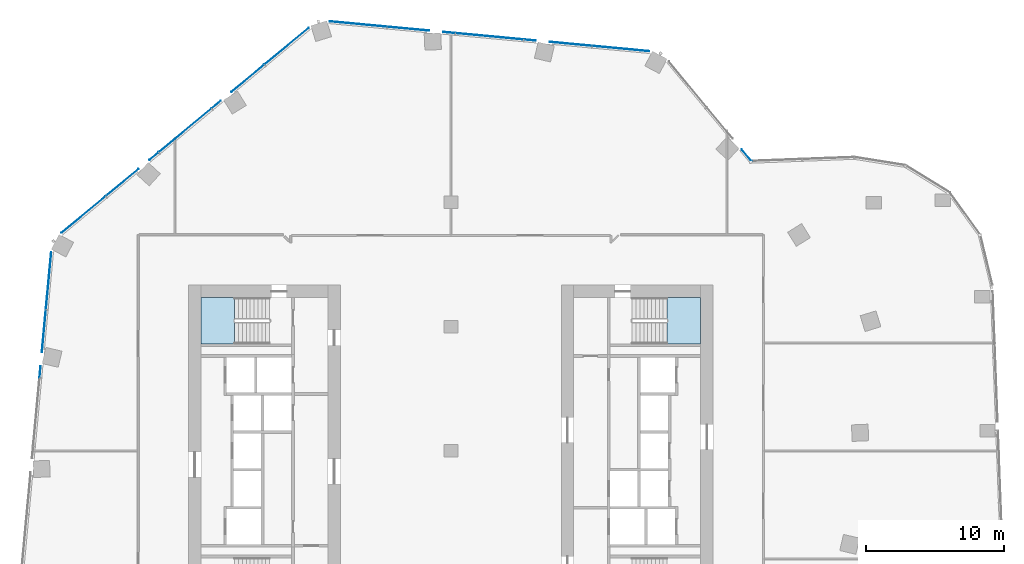
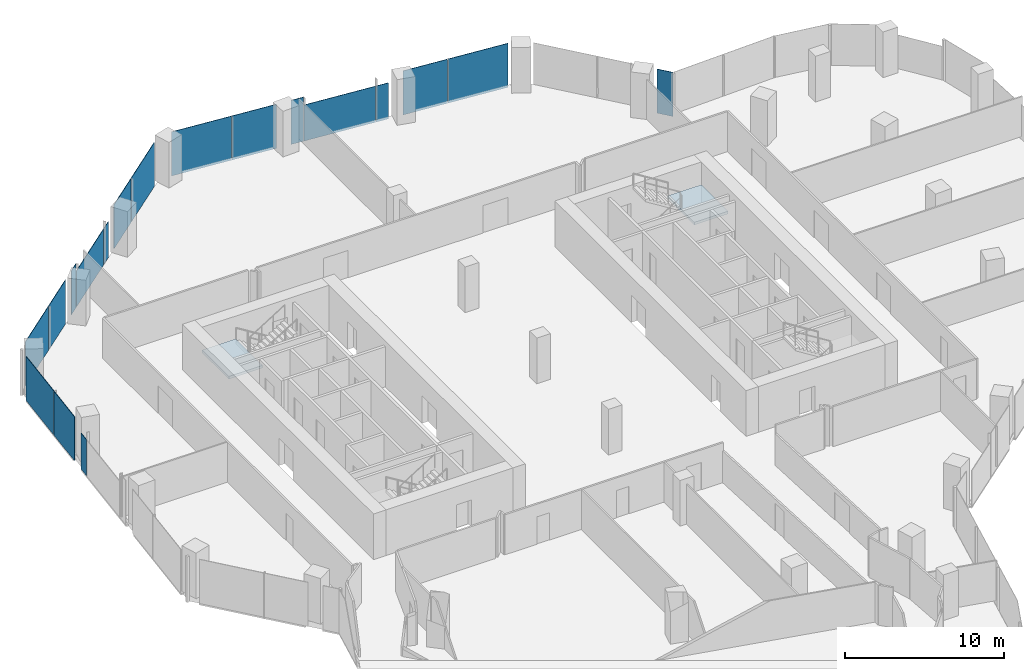
# One storey, part 16 of 23: 18 plates, 2 slabs, 6 elements without a shape of their own.
"""IFC4 building model written with IfcOpenShell, lengths in metres."""

from ifc_helpers import new_model, si_unit, direction, frame, origin, origin_2d, place, context, subcontext, project, spatial, polyline, rectangle, outline, extrude, material, layer, layer_set, type_object, element, aggregate, save


model = new_model("IFC4")

# Units and contexts
model_context = context("Model", 3, precision=1e-05, world=origin(), true_north=direction((0.0, 1.0)))
body_context = subcontext(model_context, "Body", "Model", "MODEL_VIEW")
ifc_project = project(units=[si_unit("LENGTHUNIT", "METRE"), si_unit("AREAUNIT", "SQUARE_METRE"), si_unit("VOLUMEUNIT", "CUBIC_METRE"), si_unit("PLANEANGLEUNIT", "RADIAN"), si_unit("MASSUNIT", "GRAM", prefix="KILO")], contexts=[model_context])

# Site, building, storey
site_placement = place(None, origin())
site = spatial("IfcSite", under=ifc_project, at=site_placement, CompositionType="ELEMENT")
building_placement = place(site_placement, origin())
building = spatial("IfcBuilding", under=site, at=building_placement, Name="Orlundy Tower", CompositionType="ELEMENT")
storey_placement = place(building_placement, frame((0.0, 0.0, 181.10009765625)))
storey = spatial("IfcBuildingStorey", under=building, at=storey_placement, Name="L47", CompositionType="ELEMENT", Elevation=181.10009765625)

# Curtain wall, plates
ifc_material_1 = material(Name="Aluminium bronze anodised", Category="aluminium")
curtain_wall_type = type_object("IfcCurtainWallType", Name="CW1 wall", PredefinedType="NOTDEFINED", material=ifc_material_1)
curtain_wall_1_placement = place(storey_placement, origin())
curtain_wall_1 = element("IfcCurtainWall", 1, at=curtain_wall_1_placement, inside=storey, type_object=curtain_wall_type, Name="CW1 run 02", PredefinedType="NOTDEFINED")
ifc_material_2 = material(Name="Tinted glass", Category="glass")
ifc_layer_1 = layer(ifc_material_2, 0.031982421875)
ifc_layer_set_1 = layer_set([ifc_layer_1], Name="CW1 glass panel 32")
plate_type = type_object("IfcPlateType", Name="CW1 glass panel 32", PredefinedType="CURTAIN_PANEL", material=ifc_layer_set_1)
plate_1_placement = place(storey_placement, frame((-29.7607421875, 5.724609375, -0.30029296875), z_axis=(0.0, 0.0, 1.0), x_axis=(0.092948066811, 0.995670958136, 0.0)))
plate_1 = element("IfcPlate", 2, at=plate_1_placement, type_object=plate_type, Name="CW1 panel", PredefinedType="CURTAIN_PANEL", context=body_context, shape_type="SweptSolid", body=[
    extrude(rectangle(XDim=0.846435546875, YDim=0.031982421875, at=origin_2d()), origin(), (0.0, 0.0, 1.0), 2.763916015625),
])
plate_2_placement = place(storey_placement, frame((-29.48486328125, 8.6796875, -0.300048828125), z_axis=(0.0, 0.0, 1.0), x_axis=(0.092948066811, 0.995670958136, 0.0)))
plate_2 = element("IfcPlate", 3, at=plate_2_placement, type_object=plate_type, Name="CW1 panel", PredefinedType="CURTAIN_PANEL", context=body_context, shape_type="SweptSolid", body=[
    extrude(rectangle(XDim=3.05859375, YDim=0.031982421875, at=origin_2d()), origin(), (0.0, 0.0, 1.0), 3.3798828125),
])
plate_3_placement = place(storey_placement, frame((-29.145263671875, 12.31689453125, -0.300048828125), z_axis=(0.0, 0.0, 1.0), x_axis=(0.092948066811, 0.995670958136, 0.0)))
plate_3 = element("IfcPlate", 4, at=plate_3_placement, type_object=plate_type, Name="CW1 panel", PredefinedType="CURTAIN_PANEL", context=body_context, shape_type="SweptSolid", body=[
    extrude(rectangle(XDim=4.147705078125, YDim=0.031982421875, at=origin_2d()), origin(), (0.0, 0.0, 1.0), 3.3798828125),
])
aggregate(curtain_wall_1, [plate_1, plate_2, plate_3])

curtain_wall_2_placement = place(storey_placement, origin())
curtain_wall_2 = element("IfcCurtainWall", 5, at=curtain_wall_2_placement, inside=storey, type_object=curtain_wall_type, Name="CW1 run 03", PredefinedType="NOTDEFINED")
plate_4_placement = place(storey_placement, frame((-26.609130859375, 17.120361328125, -0.300048828125), z_axis=(0.0, 0.0, 1.0), x_axis=(0.769772426769, 0.638318424445, 0.0)))
plate_4 = element("IfcPlate", 6, at=plate_4_placement, type_object=plate_type, Name="CW1 panel", PredefinedType="CURTAIN_PANEL", context=body_context, shape_type="SweptSolid", body=[
    extrude(rectangle(XDim=4.1474609375, YDim=0.031982421875, at=origin_2d()), origin(), (0.0, 0.0, 1.0), 3.3798828125),
])
plate_5_placement = place(storey_placement, frame((-23.797607421875, 19.45166015625, -0.300048828125), z_axis=(0.0, 0.0, 1.0), x_axis=(0.769772426769, 0.638318424445, 0.0)))
plate_5 = element("IfcPlate", 7, at=plate_5_placement, type_object=plate_type, Name="CW1 panel", PredefinedType="CURTAIN_PANEL", context=body_context, shape_type="SweptSolid", body=[
    extrude(rectangle(XDim=3.05712890625, YDim=0.031982421875, at=origin_2d()), origin(), (0.0, 0.0, 1.0), 3.3798828125),
])
plate_6_placement = place(storey_placement, frame((-21.512451171875, 21.3466796875, -0.300048828125), z_axis=(0.0, 0.0, 1.0), x_axis=(0.769772426769, 0.638318424445, 0.0)))
plate_6 = element("IfcPlate", 8, at=plate_6_placement, type_object=plate_type, Name="CW1 panel", PredefinedType="CURTAIN_PANEL", context=body_context, shape_type="SweptSolid", body=[
    extrude(rectangle(XDim=0.8466796875, YDim=0.031982421875, at=origin_2d()), origin(), (0.0, 0.0, 1.0), 3.3798828125),
])
plate_7_placement = place(storey_placement, frame((-19.254150390625, 23.21923828125, -0.30029296875), z_axis=(0.0, 0.0, 1.0), x_axis=(0.769772426769, 0.638318424445, 0.0)))
plate_7 = element("IfcPlate", 9, at=plate_7_placement, type_object=plate_type, Name="CW1 panel", PredefinedType="CURTAIN_PANEL", context=body_context, shape_type="SweptSolid", body=[
    extrude(rectangle(XDim=4.920654296875, YDim=0.031982421875, at=origin_2d()), origin(), (0.0, 0.0, 1.0), 2.763916015625),
])
plate_8_placement = place(storey_placement, frame((-16.99609375, 25.091796875, -0.30029296875), z_axis=(0.0, 0.0, 1.0), x_axis=(0.769772426769, 0.638318424445, 0.0)))
plate_8 = element("IfcPlate", 10, at=plate_8_placement, type_object=plate_type, Name="CW1 panel", PredefinedType="CURTAIN_PANEL", context=body_context, shape_type="SweptSolid", body=[
    extrude(rectangle(XDim=0.8466796875, YDim=0.031982421875, at=origin_2d()), origin(), (0.0, 0.0, 1.0), 2.763916015625),
])
plate_9_placement = place(storey_placement, frame((-14.71044921875, 26.987060546875, -0.300048828125), z_axis=(0.0, 0.0, 1.0), x_axis=(0.769772426769, 0.638318424445, 0.0)))
plate_9 = element("IfcPlate", 11, at=plate_9_placement, type_object=plate_type, Name="CW1 panel", PredefinedType="CURTAIN_PANEL", context=body_context, shape_type="SweptSolid", body=[
    extrude(rectangle(XDim=3.056640625, YDim=0.031982421875, at=origin_2d()), origin(), (0.0, 0.0, 1.0), 3.3798828125),
])
plate_10_placement = place(storey_placement, frame((-11.899169921875, 29.318359375, -0.300048828125), z_axis=(0.0, 0.0, 1.0), x_axis=(0.769772426769, 0.638318424445, 0.0)))
plate_10 = element("IfcPlate", 12, at=plate_10_placement, type_object=plate_type, Name="CW1 panel", PredefinedType="CURTAIN_PANEL", context=body_context, shape_type="SweptSolid", body=[
    extrude(rectangle(XDim=4.148193359375, YDim=0.031982421875, at=origin_2d()), origin(), (0.0, 0.0, 1.0), 3.3798828125),
])
aggregate(curtain_wall_2, [plate_4, plate_5, plate_6, plate_7, plate_8, plate_9, plate_10])

curtain_wall_3_placement = place(storey_placement, origin())
curtain_wall_3 = element("IfcCurtainWall", 13, at=curtain_wall_3_placement, inside=storey, type_object=curtain_wall_type, Name="CW1 run 04", PredefinedType="NOTDEFINED")
plate_11_placement = place(storey_placement, frame((-6.709228515625, 30.92138671875, -0.300048828125), z_axis=(0.0, 0.0, 1.0), x_axis=(0.995670958136, -0.092948066811, 0.0)))
plate_11 = element("IfcPlate", 14, at=plate_11_placement, type_object=plate_type, Name="CW1 panel", PredefinedType="CURTAIN_PANEL", context=body_context, shape_type="SweptSolid", body=[
    extrude(rectangle(XDim=4.14697265625, YDim=0.031982421875, at=origin_2d()), origin(), (0.0, 0.0, 1.0), 3.3798828125),
])
plate_12_placement = place(storey_placement, frame((-3.073974609375, 30.58203125, -0.300048828125), z_axis=(0.0, 0.0, 1.0), x_axis=(0.995670958136, -0.092948066811, 0.0)))
plate_12 = element("IfcPlate", 15, at=plate_12_placement, type_object=plate_type, Name="CW1 panel", PredefinedType="CURTAIN_PANEL", context=body_context, shape_type="SweptSolid", body=[
    extrude(rectangle(XDim=3.05517578125, YDim=0.031982421875, at=origin_2d()), origin(), (0.0, 0.0, 1.0), 3.3798828125),
])
plate_13_placement = place(storey_placement, frame((-0.1171875, 30.305908203125, -0.300048828125), z_axis=(0.0, 0.0, 1.0), x_axis=(0.995670958136, -0.092948066811, 0.0)))
plate_13 = element("IfcPlate", 16, at=plate_13_placement, type_object=plate_type, Name="CW1 panel", PredefinedType="CURTAIN_PANEL", context=body_context, shape_type="SweptSolid", body=[
    extrude(rectangle(XDim=0.846923828125, YDim=0.031982421875, at=origin_2d()), origin(), (0.0, 0.0, 1.0), 3.3798828125),
])
plate_14_placement = place(storey_placement, frame((2.8037109375, 30.033203125, -0.30029296875), z_axis=(0.0, 0.0, 1.0), x_axis=(0.995670958136, -0.092948066811, 0.0)))
plate_14 = element("IfcPlate", 17, at=plate_14_placement, type_object=plate_type, Name="CW1 panel", PredefinedType="CURTAIN_PANEL", context=body_context, shape_type="SweptSolid", body=[
    extrude(rectangle(XDim=4.92041015625, YDim=0.031982421875, at=origin_2d()), origin(), (0.0, 0.0, 1.0), 2.763916015625),
])
plate_15_placement = place(storey_placement, frame((5.724609375, 29.7607421875, -0.30029296875), z_axis=(0.0, 0.0, 1.0), x_axis=(0.995670958136, -0.092948066811, 0.0)))
plate_15 = element("IfcPlate", 18, at=plate_15_placement, type_object=plate_type, Name="CW1 panel", PredefinedType="CURTAIN_PANEL", context=body_context, shape_type="SweptSolid", body=[
    extrude(rectangle(XDim=0.846435546875, YDim=0.031982421875, at=origin_2d()), origin(), (0.0, 0.0, 1.0), 2.763916015625),
])
plate_16_placement = place(storey_placement, frame((8.6796875, 29.48486328125, -0.300048828125), z_axis=(0.0, 0.0, 1.0), x_axis=(0.995670958136, -0.092948066811, 0.0)))
plate_16 = element("IfcPlate", 19, at=plate_16_placement, type_object=plate_type, Name="CW1 panel", PredefinedType="CURTAIN_PANEL", context=body_context, shape_type="SweptSolid", body=[
    extrude(rectangle(XDim=3.05859375, YDim=0.031982421875, at=origin_2d()), origin(), (0.0, 0.0, 1.0), 3.3798828125),
])
plate_17_placement = place(storey_placement, frame((12.31689453125, 29.145263671875, -0.300048828125), z_axis=(0.0, 0.0, 1.0), x_axis=(0.995670958136, -0.092948066811, 0.0)))
plate_17 = element("IfcPlate", 20, at=plate_17_placement, type_object=plate_type, Name="CW1 panel", PredefinedType="CURTAIN_PANEL", context=body_context, shape_type="SweptSolid", body=[
    extrude(rectangle(XDim=4.147705078125, YDim=0.031982421875, at=origin_2d()), origin(), (0.0, 0.0, 1.0), 3.3798828125),
])
aggregate(curtain_wall_3, [plate_11, plate_12, plate_13, plate_14, plate_15, plate_16, plate_17])

# Curtain wall, plate
curtain_wall_4_placement = place(storey_placement, origin())
curtain_wall_4 = element("IfcCurtainWall", 21, at=curtain_wall_4_placement, inside=storey, type_object=curtain_wall_type, Name="CW1 run 05", PredefinedType="NOTDEFINED")
plate_18_placement = place(storey_placement, frame((21.4228515625, 21.420166015625, -0.300048828125), z_axis=(0.0, 0.0, 1.0), x_axis=(0.638299162368, -0.769788399055, 0.0)))
plate_18 = element("IfcPlate", 22, at=plate_18_placement, type_object=plate_type, Name="CW1 panel", PredefinedType="CURTAIN_PANEL", context=body_context, shape_type="SweptSolid", body=[
    extrude(rectangle(XDim=1.08642578125, YDim=0.031982421875, at=origin_2d()), origin(), (0.0, 0.0, 1.0), 3.3798828125),
])
aggregate(curtain_wall_4, [plate_18])

# Stair, slab
ifc_material_3 = material(Name="Concrete C50/60", Category="concrete")
stair_type = type_object("IfcStairType", Name="Exit Stair 20 risers", PredefinedType="HALF_TURN_STAIR", material=ifc_material_3)
stair_1_placement = place(storey_placement, origin())
stair_1 = element("IfcStair", 23, at=stair_1_placement, inside=storey, type_object=stair_type, Name="L47 Exit Stair ST-W1", PredefinedType="HALF_TURN_STAIR")
ifc_material_4 = material(Name="Concrete C50/60", Category="concrete")
ifc_layer_2 = layer(ifc_material_4, 0.199951171875)
ifc_layer_set_2 = layer_set([ifc_layer_2], Name="Exit Stair Landing")
slab_type = type_object("IfcSlabType", Name="Exit Stair Landing", PredefinedType="LANDING", material=ifc_layer_set_2)
slab_1_placement = place(storey_placement, frame((0.0, 0.0, 1.5498046875)))
slab_1 = element("IfcSlab", 24, at=slab_1_placement, type_object=slab_type, Name="ST-W1 landing 1", PredefinedType="LANDING", context=body_context, shape_type="SweptSolid", body=[
    extrude(outline(polyline([(-15.659912109375, 11.10009765625), (-18.10009765625, 11.10009765625), (-18.10009765625, 7.75), (-15.659912109375, 7.75), (-15.659912109375, 11.10009765625)])), origin(), (0.0, 0.0, 1.0), 0.2001953125),
])
aggregate(stair_1, [slab_1])

stair_2_placement = place(storey_placement, origin())
stair_2 = element("IfcStair", 25, at=stair_2_placement, inside=storey, type_object=stair_type, Name="L47 Exit Stair ST-E2", PredefinedType="HALF_TURN_STAIR")
slab_2_placement = place(storey_placement, frame((0.0, 0.0, 1.5498046875)))
slab_2 = element("IfcSlab", 26, at=slab_2_placement, type_object=slab_type, Name="ST-E2 landing 1", PredefinedType="LANDING", context=body_context, shape_type="SweptSolid", body=[
    extrude(outline(polyline([(15.659912109375, 7.75), (18.10009765625, 7.75), (18.10009765625, 11.10009765625), (15.659912109375, 11.10009765625), (15.659912109375, 7.75)])), origin(), (0.0, 0.0, 1.0), 0.2001953125),
])
aggregate(stair_2, [slab_2])

save(model, "model.ifc")
